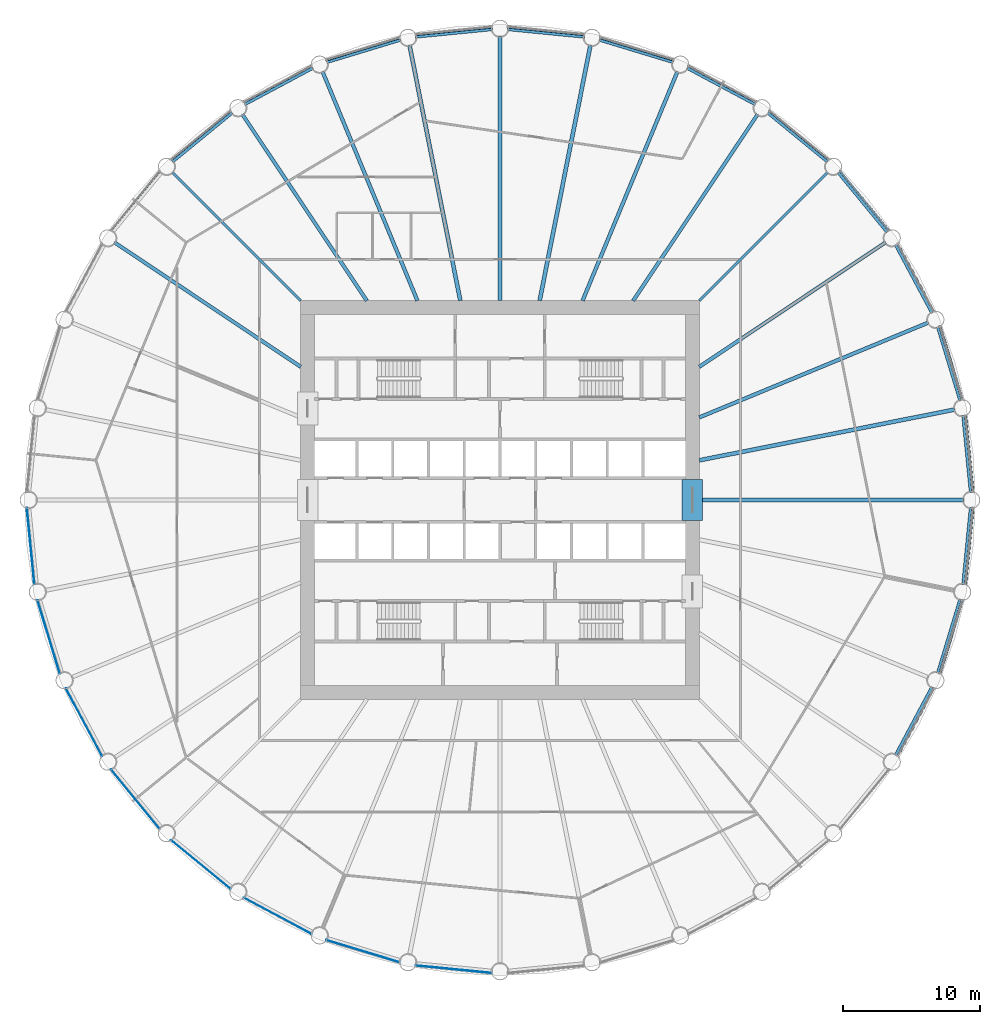
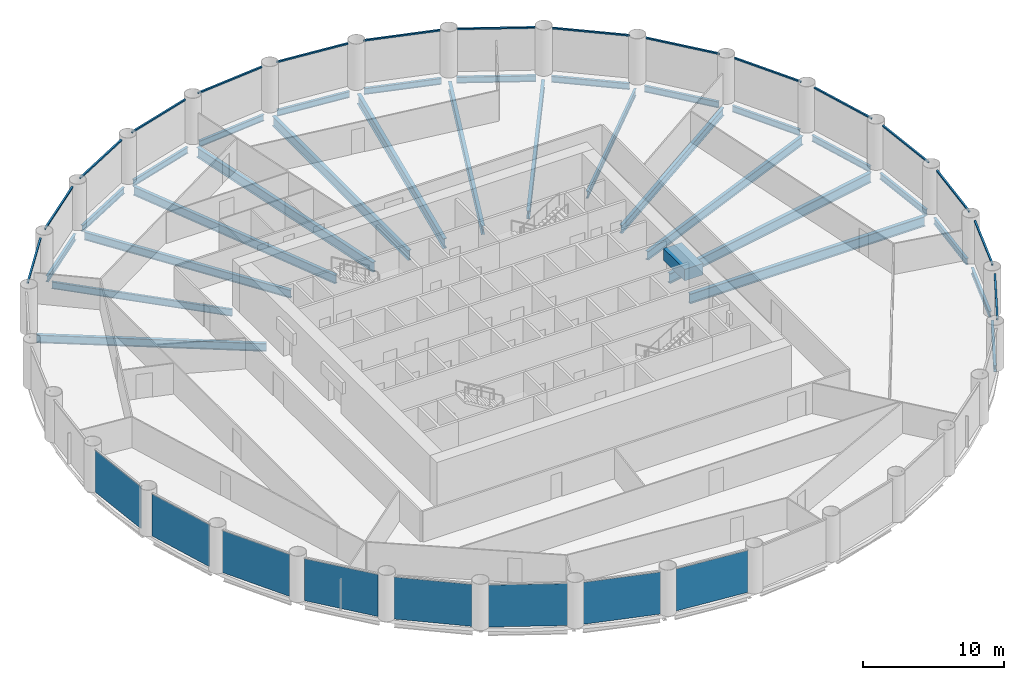
# One storey, part 2 of 8: 30 beams, 16 members, 8 plates, 24 elements without a shape of their own.
"""IFC4 building model written with IfcOpenShell, lengths in metres."""

from ifc_helpers import new_model, si_unit, direction, frame, origin, origin_2d, place, context, subcontext, project, spatial, rectangle, i_section, extrude, material, layer, layer_set, material_profile, profile_set, type_object, element, aggregate, save


model = new_model("IFC4")

# Units and contexts
model_context = context("Model", 3, precision=1e-05, world=origin(), true_north=direction((0.0, 1.0)))
body_context = subcontext(model_context, "Body", "Model", "MODEL_VIEW")
ifc_project = project(units=[si_unit("LENGTHUNIT", "METRE"), si_unit("AREAUNIT", "SQUARE_METRE"), si_unit("VOLUMEUNIT", "CUBIC_METRE"), si_unit("PLANEANGLEUNIT", "RADIAN"), si_unit("MASSUNIT", "GRAM", prefix="KILO")], contexts=[model_context])

# Site, building, storey
site_placement = place(None, origin())
site = spatial("IfcSite", under=ifc_project, at=site_placement, CompositionType="ELEMENT")
building_placement = place(site_placement, origin())
building = spatial("IfcBuilding", under=site, at=building_placement, Name="Corvane Civic Tower", CompositionType="ELEMENT")
storey_placement = place(building_placement, frame((0.0, 0.0, 134.5)))
storey = spatial("IfcBuildingStorey", under=building, at=storey_placement, Name="L31", CompositionType="ELEMENT", Elevation=134.5)

# Beams
ifc_material_1 = material(Name="Concrete C70/85", Category="concrete")
ifc_material_profile_1 = material_profile(ifc_material_1, rectangle(XDim=1.5, YDim=1.0, at=origin_2d()), Name="COUPLING BEAM 1500X1000")
ifc_profile_set_1 = profile_set([ifc_material_profile_1], Name="Concrete C70/85")
beam_type_1 = type_object("IfcBeamType", Name="COUPLING BEAM COUPLING BEAM 1500X1000", PredefinedType="BEAM", material=ifc_profile_set_1)
beam_1_placement = place(storey_placement, frame((14.0, -1.5, 2.60009765625), z_axis=(0.0, 1.0, 0.0), x_axis=(-1.0, 0.0, 0.0)))
element("IfcBeam", 1, at=beam_1_placement, inside=storey, type_object=beam_type_1, Name="BM-L31-cpl-CW-LE", PredefinedType="BEAM", context=body_context, shape_type="SweptSolid", body=[
    extrude(rectangle(XDim=1.5, YDim=1.0, at=origin_2d()), origin(), (0.0, 0.0, 1.0), 3.0),
])
ifc_material_2 = material(Name="Steel ASTM A992 Gr 50", Category="steel")
ifc_material_profile_2 = material_profile(ifc_material_2, i_section(OverallWidth=0.209228515625, OverallDepth=0.533447265625, WebThickness=0.01025390625, FlangeThickness=0.015625, at=origin_2d()), Name="W21X62")
ifc_profile_set_2 = profile_set([ifc_material_profile_2], Name="Steel ASTM A992 Gr 50")
beam_type_2 = type_object("IfcBeamType", Name="EDGE BEAM W21X62", PredefinedType="BEAM", material=ifc_profile_set_2)
beam_2_placement = place(storey_placement, frame((0.54736328125, 34.24609375, -0.566650390625), z_axis=(0.995184368522, -0.098020776625, 0.0), x_axis=(0.098020776625, 0.995184368522, 0.0)))
element("IfcBeam", 2, at=beam_2_placement, inside=storey, type_object=beam_type_2, Name="BM-L31-E01", PredefinedType="BEAM", context=body_context, shape_type="SweptSolid", body=[
    extrude(i_section(OverallWidth=0.209228515625, OverallDepth=0.533447265625, WebThickness=0.01025390625, FlangeThickness=0.015625, at=origin_2d()), origin(), (0.0, 0.0, 1.0), 5.6240234375),
])
beam_3_placement = place(storey_placement, frame((7.218017578125, 33.481201171875, -0.566650390625), z_axis=(0.956936367498, -0.290297758448, 0.0), x_axis=(0.290297758448, 0.956936367498, 0.0)))
element("IfcBeam", 3, at=beam_3_placement, inside=storey, type_object=beam_type_2, Name="BM-L31-E02", PredefinedType="BEAM", context=body_context, shape_type="SweptSolid", body=[
    extrude(i_section(OverallWidth=0.209228515625, OverallDepth=0.533447265625, WebThickness=0.01025390625, FlangeThickness=0.015625, at=origin_2d()), origin(), (0.0, 0.0, 1.0), 5.623779296875),
])
for number, where, z_axis, x_axis, name in (
    (4, (13.611083984375, 31.4296875, -0.566650390625), (0.88192357867, -0.471392407008, 0.0), (0.471392407008, 0.88192357867, 0.0), "BM-L31-E03"),
    (5, (19.481201171875, 28.17041015625, -0.566650390625), (0.773006775372, -0.634397765782, 0.0), (0.634397765782, 0.773006775372, 0.0), "BM-L31-E04"),
    (6, (24.6025390625, 23.82861328125, -0.566650390625), (0.634397765782, -0.773006775372, 0.0), (0.773006775372, 0.634397765782, 0.0), "BM-L31-E05"),
    (7, (28.778564453125, 18.571044921875, -0.566650390625), (0.471392407008, -0.88192357867, 0.0), (0.88192357867, 0.471392407008, 0.0), "BM-L31-E06"),
):
    element("IfcBeam", number, at=place(storey_placement, frame(where, z_axis=z_axis, x_axis=x_axis)), inside=storey, type_object=beam_type_2, Name=name, PredefinedType="BEAM", context=body_context, shape_type="SweptSolid", body=[
        extrude(i_section(OverallWidth=0.209228515625, OverallDepth=0.533447265625, WebThickness=0.01025390625, FlangeThickness=0.015625, at=origin_2d()), origin(), (0.0, 0.0, 1.0), 5.6240234375),
    ])
beam_4_placement = place(storey_placement, frame((31.8486328125, 12.599609375, -0.566650390625), z_axis=(0.290297758448, -0.956936367498, 0.0), x_axis=(0.956936367498, 0.290297758448, 0.0)))
element("IfcBeam", 8, at=beam_4_placement, inside=storey, type_object=beam_type_2, Name="BM-L31-E07", PredefinedType="BEAM", context=body_context, shape_type="SweptSolid", body=[
    extrude(i_section(OverallWidth=0.209228515625, OverallDepth=0.533447265625, WebThickness=0.01025390625, FlangeThickness=0.015625, at=origin_2d()), origin(), (0.0, 0.0, 1.0), 5.623779296875),
])
for number, where, z_axis, x_axis, name in (
    (9, (33.69482421875, 6.144287109375, -0.566650390625), (0.098020776625, -0.995184368522, 0.0), (0.995184368522, 0.098020776625, 0.0), "BM-L31-E08"),
    (10, (34.24609375, -0.54736328125, -0.566650390625), (-0.098020776625, -0.995184368522, 0.0), (0.995184368522, -0.098020776625, 0.0), "BM-L31-E09"),
):
    element("IfcBeam", number, at=place(storey_placement, frame(where, z_axis=z_axis, x_axis=x_axis)), inside=storey, type_object=beam_type_2, Name=name, PredefinedType="BEAM", context=body_context, shape_type="SweptSolid", body=[
        extrude(i_section(OverallWidth=0.209228515625, OverallDepth=0.533447265625, WebThickness=0.01025390625, FlangeThickness=0.015625, at=origin_2d()), origin(), (0.0, 0.0, 1.0), 5.6240234375),
    ])
beam_5_placement = place(storey_placement, frame((33.481201171875, -7.218017578125, -0.566650390625), z_axis=(-0.290297758448, -0.956936367498, 0.0), x_axis=(0.956936367498, -0.290297758448, 0.0)))
element("IfcBeam", 11, at=beam_5_placement, inside=storey, type_object=beam_type_2, Name="BM-L31-E10", PredefinedType="BEAM", context=body_context, shape_type="SweptSolid", body=[
    extrude(i_section(OverallWidth=0.209228515625, OverallDepth=0.533447265625, WebThickness=0.01025390625, FlangeThickness=0.015625, at=origin_2d()), origin(), (0.0, 0.0, 1.0), 5.623779296875),
])
for number, where, z_axis, x_axis, name in (
    (12, (31.4296875, -13.611083984375, -0.566650390625), (-0.471392407008, -0.88192357867, 0.0), (0.88192357867, -0.471392407008, 0.0), "BM-L31-E11"),
    (13, (-23.82861328125, 24.6025390625, -0.566650390625), (0.773006775372, 0.634397765782, 0.0), (-0.634397765782, 0.773006775372, 0.0), "BM-L31-E29"),
    (14, (-18.571044921875, 28.778564453125, -0.566650390625), (0.88192357867, 0.471392407008, 0.0), (-0.471392407008, 0.88192357867, 0.0), "BM-L31-E30"),
):
    element("IfcBeam", number, at=place(storey_placement, frame(where, z_axis=z_axis, x_axis=x_axis)), inside=storey, type_object=beam_type_2, Name=name, PredefinedType="BEAM", context=body_context, shape_type="SweptSolid", body=[
        extrude(i_section(OverallWidth=0.209228515625, OverallDepth=0.533447265625, WebThickness=0.01025390625, FlangeThickness=0.015625, at=origin_2d()), origin(), (0.0, 0.0, 1.0), 5.6240234375),
    ])
beam_6_placement = place(storey_placement, frame((-12.599609375, 31.8486328125, -0.566650390625), z_axis=(0.956936367498, 0.290297758448, 0.0), x_axis=(-0.290297758448, 0.956936367498, 0.0)))
element("IfcBeam", 15, at=beam_6_placement, inside=storey, type_object=beam_type_2, Name="BM-L31-E31", PredefinedType="BEAM", context=body_context, shape_type="SweptSolid", body=[
    extrude(i_section(OverallWidth=0.209228515625, OverallDepth=0.533447265625, WebThickness=0.01025390625, FlangeThickness=0.015625, at=origin_2d()), origin(), (0.0, 0.0, 1.0), 5.623779296875),
])
beam_7_placement = place(storey_placement, frame((-6.144287109375, 33.69482421875, -0.566650390625), z_axis=(0.995184368522, 0.098020776625, 0.0), x_axis=(-0.098020776625, 0.995184368522, 0.0)))
element("IfcBeam", 16, at=beam_7_placement, inside=storey, type_object=beam_type_2, Name="BM-L31-E32", PredefinedType="BEAM", context=body_context, shape_type="SweptSolid", body=[
    extrude(i_section(OverallWidth=0.209228515625, OverallDepth=0.533447265625, WebThickness=0.01025390625, FlangeThickness=0.015625, at=origin_2d()), origin(), (0.0, 0.0, 1.0), 5.6240234375),
])
ifc_material_3 = material(Name="Steel ASTM A992 Gr 50", Category="steel")
ifc_material_profile_3 = material_profile(ifc_material_3, i_section(OverallWidth=0.177978515625, OverallDepth=0.599365234375, WebThickness=0.010009765625, FlangeThickness=0.012939453125, at=origin_2d()), Name="W24X55")
ifc_profile_set_3 = profile_set([ifc_material_profile_3], Name="Steel ASTM A992 Gr 50")
beam_type_3 = type_object("IfcBeamType", Name="FLOOR GIRDER W24X55", PredefinedType="BEAM", material=ifc_profile_set_3)
for number, where, z_axis, x_axis, name in (
    (17, (14.5, 14.5, -0.599609375), (0.707106781187, 0.707106781187, 0.0), (-0.707106781187, 0.707106781187, 0.0), "BM-L31-G05"),
    (18, (-14.5, 14.5, -0.599609375), (-0.707106781187, 0.707106781187, 0.0), (-0.707106781187, -0.707106781187, 0.0), "BM-L31-G29"),
):
    element("IfcBeam", number, at=place(storey_placement, frame(where, z_axis=z_axis, x_axis=x_axis)), inside=storey, type_object=beam_type_3, Name=name, PredefinedType="BEAM", context=body_context, shape_type="SweptSolid", body=[
        extrude(i_section(OverallWidth=0.177978515625, OverallDepth=0.599365234375, WebThickness=0.010009765625, FlangeThickness=0.012939453125, at=origin_2d()), origin(), (0.0, 0.0, 1.0), 13.24365234375),
    ])
ifc_material_4 = material(Name="Steel ASTM A992 Gr 50", Category="steel")
ifc_material_profile_4 = material_profile(ifc_material_4, i_section(OverallWidth=0.256591796875, OverallDepth=0.693359375, WebThickness=0.014404296875, FlangeThickness=0.023681640625, at=origin_2d()), Name="W27X114")
ifc_profile_set_4 = profile_set([ifc_material_profile_4], Name="Steel ASTM A992 Gr 50")
beam_type_4 = type_object("IfcBeamType", Name="FLOOR GIRDER W27X114", PredefinedType="BEAM", material=ifc_profile_set_4)
for number, where, z_axis, x_axis, name in (
    (19, (9.6884765625, 14.5, -0.646728515625), (0.555577235054, 0.83146493365, 0.0), (-0.83146493365, 0.555577235054, 0.0), "BM-L31-G04"),
    (20, (14.5, 9.6884765625, -0.646728515625), (0.83146493365, 0.555577235054, 0.0), (-0.555577235054, 0.83146493365, 0.0), "BM-L31-G06"),
    (21, (-14.5, 9.6884765625, -0.646728515625), (-0.83146493365, 0.555577235054, 0.0), (-0.555577235054, -0.83146493365, 0.0), "BM-L31-G28"),
    (22, (-9.6884765625, 14.5, -0.646728515625), (-0.555577235054, 0.83146493365, 0.0), (-0.83146493365, -0.555577235054, 0.0), "BM-L31-G30"),
):
    element("IfcBeam", number, at=place(storey_placement, frame(where, z_axis=z_axis, x_axis=x_axis)), inside=storey, type_object=beam_type_4, Name=name, PredefinedType="BEAM", context=body_context, shape_type="SweptSolid", body=[
        extrude(i_section(OverallWidth=0.256591796875, OverallDepth=0.693359375, WebThickness=0.014404296875, FlangeThickness=0.023681640625, at=origin_2d()), origin(), (0.0, 0.0, 1.0), 16.31103515625),
    ])
ifc_material_5 = material(Name="Steel ASTM A992 Gr 50", Category="steel")
ifc_material_profile_5 = material_profile(ifc_material_5, i_section(OverallWidth=0.2666015625, OverallDepth=0.7568359375, WebThickness=0.013916015625, FlangeThickness=0.019287109375, at=origin_2d()), Name="W30X108")
ifc_profile_set_5 = profile_set([ifc_material_profile_5], Name="Steel ASTM A992 Gr 50")
beam_type_5 = type_object("IfcBeamType", Name="FLOOR GIRDER W30X108", PredefinedType="BEAM", material=ifc_profile_set_5)
for number, where, z_axis, x_axis, name in (
    (23, (6.006103515625, 14.5, -0.678466796875), (0.382681797504, 0.923880209691, 0.0), (-0.923880209691, 0.382681797504, 0.0), "BM-L31-G03"),
    (24, (14.5, 6.006103515625, -0.678466796875), (0.923880209691, 0.382681797504, 0.0), (-0.382681797504, 0.923880209691, 0.0), "BM-L31-G07"),
    (25, (-6.006103515625, 14.5, -0.678466796875), (-0.382681797504, 0.923880209691, 0.0), (-0.923880209691, -0.382681797504, 0.0), "BM-L31-G31"),
):
    element("IfcBeam", number, at=place(storey_placement, frame(where, z_axis=z_axis, x_axis=x_axis)), inside=storey, type_object=beam_type_5, Name=name, PredefinedType="BEAM", context=body_context, shape_type="SweptSolid", body=[
        extrude(i_section(OverallWidth=0.2666015625, OverallDepth=0.7568359375, WebThickness=0.013916015625, FlangeThickness=0.019287109375, at=origin_2d()), origin(), (0.0, 0.0, 1.0), 18.05517578125),
    ])
ifc_material_6 = material(Name="Steel ASTM A992 Gr 50", Category="steel")
ifc_material_profile_6 = material_profile(ifc_material_6, i_section(OverallWidth=0.2919921875, OverallDepth=0.8583984375, WebThickness=0.01708984375, FlangeThickness=0.031005859375, at=origin_2d()), Name="W33X169")
ifc_profile_set_6 = profile_set([ifc_material_profile_6], Name="Steel ASTM A992 Gr 50")
beam_type_6 = type_object("IfcBeamType", Name="FLOOR GIRDER W33X169", PredefinedType="BEAM", material=ifc_profile_set_6)
beam_8_placement = place(storey_placement, frame((0.0, 14.5, -0.729248046875), z_axis=(0.0, 1.0, 0.0), x_axis=(-1.0, 0.0, 0.0)))
element("IfcBeam", 26, at=beam_8_placement, inside=storey, type_object=beam_type_6, Name="BM-L31-G01", PredefinedType="BEAM", context=body_context, shape_type="SweptSolid", body=[
    extrude(i_section(OverallWidth=0.2919921875, OverallDepth=0.8583984375, WebThickness=0.01708984375, FlangeThickness=0.031005859375, at=origin_2d()), origin(), (0.0, 0.0, 1.0), 19.25),
])
for number, where, z_axis, x_axis, name in (
    (27, (2.88427734375, 14.5, -0.729248046875), (0.195083745652, 0.9807865885, 0.0), (-0.9807865885, 0.195083745652, 0.0), "BM-L31-G02"),
    (28, (14.5, 2.88427734375, -0.729248046875), (0.9807865885, 0.195083745652, 0.0), (-0.195083745652, 0.9807865885, 0.0), "BM-L31-G08"),
):
    element("IfcBeam", number, at=place(storey_placement, frame(where, z_axis=z_axis, x_axis=x_axis)), inside=storey, type_object=beam_type_6, Name=name, PredefinedType="BEAM", context=body_context, shape_type="SweptSolid", body=[
        extrude(i_section(OverallWidth=0.2919921875, OverallDepth=0.8583984375, WebThickness=0.01708984375, FlangeThickness=0.031005859375, at=origin_2d()), origin(), (0.0, 0.0, 1.0), 18.966064453125),
    ])
beam_9_placement = place(storey_placement, frame((14.5, 0.0, -0.729248046875), z_axis=(1.0, 0.0, 0.0), x_axis=(0.0, 1.0, 0.0)))
element("IfcBeam", 29, at=beam_9_placement, inside=storey, type_object=beam_type_6, Name="BM-L31-G09", PredefinedType="BEAM", context=body_context, shape_type="SweptSolid", body=[
    extrude(i_section(OverallWidth=0.2919921875, OverallDepth=0.8583984375, WebThickness=0.01708984375, FlangeThickness=0.031005859375, at=origin_2d()), origin(), (0.0, 0.0, 1.0), 19.25),
])
beam_10_placement = place(storey_placement, frame((-2.88427734375, 14.5, -0.729248046875), z_axis=(-0.195083745652, 0.9807865885, 0.0), x_axis=(-0.9807865885, -0.195083745652, 0.0)))
element("IfcBeam", 30, at=beam_10_placement, inside=storey, type_object=beam_type_6, Name="BM-L31-G32", PredefinedType="BEAM", context=body_context, shape_type="SweptSolid", body=[
    extrude(i_section(OverallWidth=0.2919921875, OverallDepth=0.8583984375, WebThickness=0.01708984375, FlangeThickness=0.031005859375, at=origin_2d()), origin(), (0.0, 0.0, 1.0), 18.966064453125),
])

# Curtain wall, member
ifc_material_7 = material(Name="Anodised aluminium bronze", Category="aluminium")
curtain_wall_type = type_object("IfcCurtainWallType", Name="TOWER CW-T1 STICK CURTAIN WALL", PredefinedType="NOTDEFINED", material=ifc_material_7)
curtain_wall_1_placement = place(storey_placement, origin())
curtain_wall_1 = element("IfcCurtainWall", 31, at=curtain_wall_1_placement, inside=storey, type_object=curtain_wall_type, Name="Curtain wall CW-T1 L31 bay 01", PredefinedType="NOTDEFINED")
ifc_material_8 = material(Name="Anodised aluminium bronze", Category="aluminium")
ifc_material_profile_7 = material_profile(ifc_material_8, rectangle(XDim=0.139892578125, YDim=0.1201171875, at=origin_2d()), Name="TOWER CW-T1 TRANSOM 140x120")
ifc_profile_set_7 = profile_set([ifc_material_profile_7], Name="Anodised aluminium bronze")
member_type = type_object("IfcMemberType", Name="TOWER CW-T1 TRANSOM 140x120", PredefinedType="USERDEFINED", material=ifc_profile_set_7)
member_1_placement = place(storey_placement, frame((0.58349609375, 34.422607421875, 3.68994140625), z_axis=(0.995179807033, -0.098067077419, 0.0), x_axis=(0.098067077419, 0.995179807033, 0.0)))
member_1 = element("IfcMember", 32, at=member_1_placement, type_object=member_type, Name="Transom CW-T1 L31 01.1", ObjectType="TRANSOM", PredefinedType="USERDEFINED", context=body_context, shape_type="SweptSolid", body=[
    extrude(rectangle(XDim=0.139892578125, YDim=0.1201171875, at=origin_2d()), origin(), (0.0, 0.0, 1.0), 5.58642578125),
])
aggregate(curtain_wall_1, [member_1])

curtain_wall_2_placement = place(storey_placement, origin())
curtain_wall_2 = element("IfcCurtainWall", 33, at=curtain_wall_2_placement, inside=storey, type_object=curtain_wall_type, Name="Curtain wall CW-T1 L31 bay 02", PredefinedType="NOTDEFINED")
member_2_placement = place(storey_placement, frame((7.287841796875, 33.647216796875, 3.68994140625), z_axis=(0.956944977029, -0.290269376509, 0.0), x_axis=(0.290269376509, 0.956944977029, 0.0)))
member_2 = element("IfcMember", 34, at=member_2_placement, type_object=member_type, Name="Transom CW-T1 L31 02.1", ObjectType="TRANSOM", PredefinedType="USERDEFINED", context=body_context, shape_type="SweptSolid", body=[
    extrude(rectangle(XDim=0.139892578125, YDim=0.1201171875, at=origin_2d()), origin(), (0.0, 0.0, 1.0), 5.58642578125),
])
aggregate(curtain_wall_2, [member_2])

curtain_wall_3_placement = place(storey_placement, origin())
curtain_wall_3 = element("IfcCurtainWall", 35, at=curtain_wall_3_placement, inside=storey, type_object=curtain_wall_type, Name="Curtain wall CW-T1 L31 bay 03", PredefinedType="NOTDEFINED")
member_3_placement = place(storey_placement, frame((13.712158203125, 31.5791015625, 3.68994140625), z_axis=(0.881920705407, -0.47139778253, 0.0), x_axis=(0.47139778253, 0.881920705407, 0.0)))
member_3 = element("IfcMember", 36, at=member_3_placement, type_object=member_type, Name="Transom CW-T1 L31 03.1", ObjectType="TRANSOM", PredefinedType="USERDEFINED", context=body_context, shape_type="SweptSolid", body=[
    extrude(rectangle(XDim=0.139892578125, YDim=0.1201171875, at=origin_2d()), origin(), (0.0, 0.0, 1.0), 5.586669921875),
])
aggregate(curtain_wall_3, [member_3])

curtain_wall_4_placement = place(storey_placement, origin())
curtain_wall_4 = element("IfcCurtainWall", 37, at=curtain_wall_4_placement, inside=storey, type_object=curtain_wall_type, Name="Curtain wall CW-T1 L31 bay 04", PredefinedType="NOTDEFINED")
member_4_placement = place(storey_placement, frame((19.609619140625, 28.297119140625, 3.68994140625), z_axis=(0.772996431642, -0.634410369295, 0.0), x_axis=(0.634410369295, 0.772996431642, 0.0)))
member_4 = element("IfcMember", 38, at=member_4_placement, type_object=member_type, Name="Transom CW-T1 L31 04.1", ObjectType="TRANSOM", PredefinedType="USERDEFINED", context=body_context, shape_type="SweptSolid", body=[
    extrude(rectangle(XDim=0.139892578125, YDim=0.1201171875, at=origin_2d()), origin(), (0.0, 0.0, 1.0), 5.586181640625),
])
aggregate(curtain_wall_4, [member_4])

curtain_wall_5_placement = place(storey_placement, origin())
curtain_wall_5 = element("IfcCurtainWall", 39, at=curtain_wall_5_placement, inside=storey, type_object=curtain_wall_type, Name="Curtain wall CW-T1 L31 bay 05", PredefinedType="NOTDEFINED")
member_5_placement = place(storey_placement, frame((24.753173828125, 23.927734375, 3.68994140625), z_axis=(0.634410369295, -0.772996431642, 0.0), x_axis=(0.772996431642, 0.634410369295, 0.0)))
member_5 = element("IfcMember", 40, at=member_5_placement, type_object=member_type, Name="Transom CW-T1 L31 05.1", ObjectType="TRANSOM", PredefinedType="USERDEFINED", context=body_context, shape_type="SweptSolid", body=[
    extrude(rectangle(XDim=0.139892578125, YDim=0.1201171875, at=origin_2d()), origin(), (0.0, 0.0, 1.0), 5.586181640625),
])
aggregate(curtain_wall_5, [member_5])

curtain_wall_6_placement = place(storey_placement, origin())
curtain_wall_6 = element("IfcCurtainWall", 41, at=curtain_wall_6_placement, inside=storey, type_object=curtain_wall_type, Name="Curtain wall CW-T1 L31 bay 06", PredefinedType="NOTDEFINED")
member_6_placement = place(storey_placement, frame((28.945556640625, 18.63916015625, 3.68994140625), z_axis=(0.47139778253, -0.881920705407, 0.0), x_axis=(0.881920705407, 0.47139778253, 0.0)))
member_6 = element("IfcMember", 42, at=member_6_placement, type_object=member_type, Name="Transom CW-T1 L31 06.1", ObjectType="TRANSOM", PredefinedType="USERDEFINED", context=body_context, shape_type="SweptSolid", body=[
    extrude(rectangle(XDim=0.139892578125, YDim=0.1201171875, at=origin_2d()), origin(), (0.0, 0.0, 1.0), 5.586669921875),
])
aggregate(curtain_wall_6, [member_6])

curtain_wall_7_placement = place(storey_placement, origin())
curtain_wall_7 = element("IfcCurtainWall", 43, at=curtain_wall_7_placement, inside=storey, type_object=curtain_wall_type, Name="Curtain wall CW-T1 L31 bay 07", PredefinedType="NOTDEFINED")
member_7_placement = place(storey_placement, frame((32.025634765625, 12.6337890625, 3.68994140625), z_axis=(0.290269376509, -0.956944977029, 0.0), x_axis=(0.956944977029, 0.290269376509, 0.0)))
member_7 = element("IfcMember", 44, at=member_7_placement, type_object=member_type, Name="Transom CW-T1 L31 07.1", ObjectType="TRANSOM", PredefinedType="USERDEFINED", context=body_context, shape_type="SweptSolid", body=[
    extrude(rectangle(XDim=0.139892578125, YDim=0.1201171875, at=origin_2d()), origin(), (0.0, 0.0, 1.0), 5.58642578125),
])
aggregate(curtain_wall_7, [member_7])

curtain_wall_8_placement = place(storey_placement, origin())
curtain_wall_8 = element("IfcCurtainWall", 45, at=curtain_wall_8_placement, inside=storey, type_object=curtain_wall_type, Name="Curtain wall CW-T1 L31 bay 08", PredefinedType="NOTDEFINED")
member_8_placement = place(storey_placement, frame((33.874755859375, 6.14306640625, 3.68994140625), z_axis=(0.098067077419, -0.995179807033, 0.0), x_axis=(0.995179807033, 0.098067077419, 0.0)))
member_8 = element("IfcMember", 46, at=member_8_placement, type_object=member_type, Name="Transom CW-T1 L31 08.1", ObjectType="TRANSOM", PredefinedType="USERDEFINED", context=body_context, shape_type="SweptSolid", body=[
    extrude(rectangle(XDim=0.139892578125, YDim=0.1201171875, at=origin_2d()), origin(), (0.0, 0.0, 1.0), 5.58642578125),
])
aggregate(curtain_wall_8, [member_8])

curtain_wall_9_placement = place(storey_placement, origin())
curtain_wall_9 = element("IfcCurtainWall", 47, at=curtain_wall_9_placement, inside=storey, type_object=curtain_wall_type, Name="Curtain wall CW-T1 L31 bay 09", PredefinedType="NOTDEFINED")
member_9_placement = place(storey_placement, frame((34.422607421875, -0.58349609375, 3.68994140625), z_axis=(-0.098067077419, -0.995179807033, 0.0), x_axis=(0.995179807033, -0.098067077419, 0.0)))
member_9 = element("IfcMember", 48, at=member_9_placement, type_object=member_type, Name="Transom CW-T1 L31 09.1", ObjectType="TRANSOM", PredefinedType="USERDEFINED", context=body_context, shape_type="SweptSolid", body=[
    extrude(rectangle(XDim=0.139892578125, YDim=0.1201171875, at=origin_2d()), origin(), (0.0, 0.0, 1.0), 5.58642578125),
])
aggregate(curtain_wall_9, [member_9])

curtain_wall_10_placement = place(storey_placement, origin())
curtain_wall_10 = element("IfcCurtainWall", 49, at=curtain_wall_10_placement, inside=storey, type_object=curtain_wall_type, Name="Curtain wall CW-T1 L31 bay 10", PredefinedType="NOTDEFINED")
member_10_placement = place(storey_placement, frame((33.647216796875, -7.287841796875, 3.68994140625), z_axis=(-0.290269376509, -0.956944977029, 0.0), x_axis=(0.956944977029, -0.290269376509, 0.0)))
member_10 = element("IfcMember", 50, at=member_10_placement, type_object=member_type, Name="Transom CW-T1 L31 10.1", ObjectType="TRANSOM", PredefinedType="USERDEFINED", context=body_context, shape_type="SweptSolid", body=[
    extrude(rectangle(XDim=0.139892578125, YDim=0.1201171875, at=origin_2d()), origin(), (0.0, 0.0, 1.0), 5.58642578125),
])
aggregate(curtain_wall_10, [member_10])

curtain_wall_11_placement = place(storey_placement, origin())
curtain_wall_11 = element("IfcCurtainWall", 51, at=curtain_wall_11_placement, inside=storey, type_object=curtain_wall_type, Name="Curtain wall CW-T1 L31 bay 11", PredefinedType="NOTDEFINED")
member_11_placement = place(storey_placement, frame((31.5791015625, -13.712158203125, 3.68994140625), z_axis=(-0.47139778253, -0.881920705407, 0.0), x_axis=(0.881920705407, -0.47139778253, 0.0)))
member_11 = element("IfcMember", 52, at=member_11_placement, type_object=member_type, Name="Transom CW-T1 L31 11.1", ObjectType="TRANSOM", PredefinedType="USERDEFINED", context=body_context, shape_type="SweptSolid", body=[
    extrude(rectangle(XDim=0.139892578125, YDim=0.1201171875, at=origin_2d()), origin(), (0.0, 0.0, 1.0), 5.586669921875),
])
aggregate(curtain_wall_11, [member_11])

curtain_wall_12_placement = place(storey_placement, origin())
curtain_wall_12 = element("IfcCurtainWall", 53, at=curtain_wall_12_placement, inside=storey, type_object=curtain_wall_type, Name="Curtain wall CW-T1 L31 bay 28", PredefinedType="NOTDEFINED")
member_12_placement = place(storey_placement, frame((-28.297119140625, 19.609619140625, 3.68994140625), z_axis=(0.634410369295, 0.772996431642, 0.0), x_axis=(-0.772996431642, 0.634410369295, 0.0)))
member_12 = element("IfcMember", 54, at=member_12_placement, type_object=member_type, Name="Transom CW-T1 L31 28.1", ObjectType="TRANSOM", PredefinedType="USERDEFINED", context=body_context, shape_type="SweptSolid", body=[
    extrude(rectangle(XDim=0.139892578125, YDim=0.1201171875, at=origin_2d()), origin(), (0.0, 0.0, 1.0), 5.586181640625),
])
aggregate(curtain_wall_12, [member_12])

curtain_wall_13_placement = place(storey_placement, origin())
curtain_wall_13 = element("IfcCurtainWall", 55, at=curtain_wall_13_placement, inside=storey, type_object=curtain_wall_type, Name="Curtain wall CW-T1 L31 bay 29", PredefinedType="NOTDEFINED")
member_13_placement = place(storey_placement, frame((-23.927734375, 24.753173828125, 3.68994140625), z_axis=(0.772996431642, 0.634410369295, 0.0), x_axis=(-0.634410369295, 0.772996431642, 0.0)))
member_13 = element("IfcMember", 56, at=member_13_placement, type_object=member_type, Name="Transom CW-T1 L31 29.1", ObjectType="TRANSOM", PredefinedType="USERDEFINED", context=body_context, shape_type="SweptSolid", body=[
    extrude(rectangle(XDim=0.139892578125, YDim=0.1201171875, at=origin_2d()), origin(), (0.0, 0.0, 1.0), 5.586181640625),
])
aggregate(curtain_wall_13, [member_13])

curtain_wall_14_placement = place(storey_placement, origin())
curtain_wall_14 = element("IfcCurtainWall", 57, at=curtain_wall_14_placement, inside=storey, type_object=curtain_wall_type, Name="Curtain wall CW-T1 L31 bay 30", PredefinedType="NOTDEFINED")
member_14_placement = place(storey_placement, frame((-18.63916015625, 28.945556640625, 3.68994140625), z_axis=(0.881920705407, 0.47139778253, 0.0), x_axis=(-0.47139778253, 0.881920705407, 0.0)))
member_14 = element("IfcMember", 58, at=member_14_placement, type_object=member_type, Name="Transom CW-T1 L31 30.1", ObjectType="TRANSOM", PredefinedType="USERDEFINED", context=body_context, shape_type="SweptSolid", body=[
    extrude(rectangle(XDim=0.139892578125, YDim=0.1201171875, at=origin_2d()), origin(), (0.0, 0.0, 1.0), 5.586669921875),
])
aggregate(curtain_wall_14, [member_14])

curtain_wall_15_placement = place(storey_placement, origin())
curtain_wall_15 = element("IfcCurtainWall", 59, at=curtain_wall_15_placement, inside=storey, type_object=curtain_wall_type, Name="Curtain wall CW-T1 L31 bay 31", PredefinedType="NOTDEFINED")
member_15_placement = place(storey_placement, frame((-12.6337890625, 32.025634765625, 3.68994140625), z_axis=(0.956944977029, 0.290269376509, 0.0), x_axis=(-0.290269376509, 0.956944977029, 0.0)))
member_15 = element("IfcMember", 60, at=member_15_placement, type_object=member_type, Name="Transom CW-T1 L31 31.1", ObjectType="TRANSOM", PredefinedType="USERDEFINED", context=body_context, shape_type="SweptSolid", body=[
    extrude(rectangle(XDim=0.139892578125, YDim=0.1201171875, at=origin_2d()), origin(), (0.0, 0.0, 1.0), 5.58642578125),
])
aggregate(curtain_wall_15, [member_15])

curtain_wall_16_placement = place(storey_placement, origin())
curtain_wall_16 = element("IfcCurtainWall", 61, at=curtain_wall_16_placement, inside=storey, type_object=curtain_wall_type, Name="Curtain wall CW-T1 L31 bay 32", PredefinedType="NOTDEFINED")
member_16_placement = place(storey_placement, frame((-6.14306640625, 33.874755859375, 3.68994140625), z_axis=(0.995179807033, 0.098067077419, 0.0), x_axis=(-0.098067077419, 0.995179807033, 0.0)))
member_16 = element("IfcMember", 62, at=member_16_placement, type_object=member_type, Name="Transom CW-T1 L31 32.1", ObjectType="TRANSOM", PredefinedType="USERDEFINED", context=body_context, shape_type="SweptSolid", body=[
    extrude(rectangle(XDim=0.139892578125, YDim=0.1201171875, at=origin_2d()), origin(), (0.0, 0.0, 1.0), 5.58642578125),
])
aggregate(curtain_wall_16, [member_16])

# Curtain wall, plate
curtain_wall_17_placement = place(storey_placement, origin())
curtain_wall_17 = element("IfcCurtainWall", 63, at=curtain_wall_17_placement, inside=storey, type_object=curtain_wall_type, Name="Curtain wall CW-T1 L31 bay 17", PredefinedType="NOTDEFINED")
ifc_material_9 = material(Name="Tinted glass", Category="glass")
ifc_layer = layer(ifc_material_9, 0.035888671875)
ifc_layer_set = layer_set([ifc_layer], Name="Tinted glass")
plate_type = type_object("IfcPlateType", Name="TOWER CW-T1 PANEL IGU36", PredefinedType="CURTAIN_PANEL", material=ifc_layer_set)
plate_1_placement = place(storey_placement, frame((-3.36328125, -34.148681640625, 0.0), z_axis=(0.0, 0.0, 1.0), x_axis=(-0.995183788169, 0.098026668644, 0.0)))
plate_1 = element("IfcPlate", 64, at=plate_1_placement, type_object=plate_type, Name="Glass panel CW-T1 L31 17.1", PredefinedType="CURTAIN_PANEL", context=body_context, shape_type="SweptSolid", body=[
    extrude(rectangle(XDim=5.58642578125, YDim=0.035888671875, at=origin_2d()), origin(), (0.0, 0.0, 1.0), 3.6298828125),
])
aggregate(curtain_wall_17, [plate_1])

curtain_wall_18_placement = place(storey_placement, origin())
curtain_wall_18 = element("IfcCurtainWall", 65, at=curtain_wall_18_placement, inside=storey, type_object=curtain_wall_type, Name="Curtain wall CW-T1 L31 bay 18", PredefinedType="NOTDEFINED")
plate_2_placement = place(storey_placement, frame((-9.9609375, -32.83642578125, 0.0), z_axis=(0.0, 0.0, 1.0), x_axis=(-0.956945991488, 0.290266032073, 0.0)))
plate_2 = element("IfcPlate", 66, at=plate_2_placement, type_object=plate_type, Name="Glass panel CW-T1 L31 18.1", PredefinedType="CURTAIN_PANEL", context=body_context, shape_type="SweptSolid", body=[
    extrude(rectangle(XDim=5.58642578125, YDim=0.035888671875, at=origin_2d()), origin(), (0.0, 0.0, 1.0), 3.6298828125),
])
aggregate(curtain_wall_18, [plate_2])

curtain_wall_19_placement = place(storey_placement, origin())
curtain_wall_19 = element("IfcCurtainWall", 67, at=curtain_wall_19_placement, inside=storey, type_object=curtain_wall_type, Name="Curtain wall CW-T1 L31 bay 19", PredefinedType="NOTDEFINED")
plate_3_placement = place(storey_placement, frame((-16.175537109375, -30.26220703125, 0.0), z_axis=(0.0, 0.0, 1.0), x_axis=(-0.881923642976, 0.471392286699, 0.0)))
plate_3 = element("IfcPlate", 68, at=plate_3_placement, type_object=plate_type, Name="Glass panel CW-T1 L31 19.1", PredefinedType="CURTAIN_PANEL", context=body_context, shape_type="SweptSolid", body=[
    extrude(rectangle(XDim=5.586669921875, YDim=0.035888671875, at=origin_2d()), origin(), (0.0, 0.0, 1.0), 3.6298828125),
])
aggregate(curtain_wall_19, [plate_3])

curtain_wall_20_placement = place(storey_placement, origin())
curtain_wall_20 = element("IfcCurtainWall", 69, at=curtain_wall_20_placement, inside=storey, type_object=curtain_wall_type, Name="Curtain wall CW-T1 L31 bay 20", PredefinedType="NOTDEFINED")
plate_4_placement = place(storey_placement, frame((-21.7685546875, -26.525146484375, 0.0), z_axis=(0.0, 0.0, 1.0), x_axis=(-0.773013419843, 0.63438966948, 0.0)))
plate_4 = element("IfcPlate", 70, at=plate_4_placement, type_object=plate_type, Name="Glass panel CW-T1 L31 20.1", PredefinedType="CURTAIN_PANEL", context=body_context, shape_type="SweptSolid", body=[
    extrude(rectangle(XDim=5.58642578125, YDim=0.035888671875, at=origin_2d()), origin(), (0.0, 0.0, 1.0), 3.6298828125),
])
aggregate(curtain_wall_20, [plate_4])

curtain_wall_21_placement = place(storey_placement, origin())
curtain_wall_21 = element("IfcCurtainWall", 71, at=curtain_wall_21_placement, inside=storey, type_object=curtain_wall_type, Name="Curtain wall CW-T1 L31 bay 21", PredefinedType="NOTDEFINED")
plate_5_placement = place(storey_placement, frame((-26.525146484375, -21.7685546875, 0.0), z_axis=(0.0, 0.0, 1.0), x_axis=(-0.63438966948, 0.773013419843, 0.0)))
plate_5 = element("IfcPlate", 72, at=plate_5_placement, type_object=plate_type, Name="Glass panel CW-T1 L31 21.1", PredefinedType="CURTAIN_PANEL", context=body_context, shape_type="SweptSolid", body=[
    extrude(rectangle(XDim=5.58642578125, YDim=0.035888671875, at=origin_2d()), origin(), (0.0, 0.0, 1.0), 3.6298828125),
])
aggregate(curtain_wall_21, [plate_5])

curtain_wall_22_placement = place(storey_placement, origin())
curtain_wall_22 = element("IfcCurtainWall", 73, at=curtain_wall_22_placement, inside=storey, type_object=curtain_wall_type, Name="Curtain wall CW-T1 L31 bay 22", PredefinedType="NOTDEFINED")
plate_6_placement = place(storey_placement, frame((-30.26220703125, -16.175537109375, 0.0), z_axis=(0.0, 0.0, 1.0), x_axis=(-0.471392286699, 0.881923642976, 0.0)))
plate_6 = element("IfcPlate", 74, at=plate_6_placement, type_object=plate_type, Name="Glass panel CW-T1 L31 22.1", PredefinedType="CURTAIN_PANEL", context=body_context, shape_type="SweptSolid", body=[
    extrude(rectangle(XDim=5.586669921875, YDim=0.035888671875, at=origin_2d()), origin(), (0.0, 0.0, 1.0), 3.6298828125),
])
aggregate(curtain_wall_22, [plate_6])

curtain_wall_23_placement = place(storey_placement, origin())
curtain_wall_23 = element("IfcCurtainWall", 75, at=curtain_wall_23_placement, inside=storey, type_object=curtain_wall_type, Name="Curtain wall CW-T1 L31 bay 23", PredefinedType="NOTDEFINED")
plate_7_placement = place(storey_placement, frame((-32.83642578125, -9.9609375, 0.0), z_axis=(0.0, 0.0, 1.0), x_axis=(-0.290266032073, 0.956945991488, 0.0)))
plate_7 = element("IfcPlate", 76, at=plate_7_placement, type_object=plate_type, Name="Glass panel CW-T1 L31 23.1", PredefinedType="CURTAIN_PANEL", context=body_context, shape_type="SweptSolid", body=[
    extrude(rectangle(XDim=5.58642578125, YDim=0.035888671875, at=origin_2d()), origin(), (0.0, 0.0, 1.0), 3.6298828125),
])
aggregate(curtain_wall_23, [plate_7])

curtain_wall_24_placement = place(storey_placement, origin())
curtain_wall_24 = element("IfcCurtainWall", 77, at=curtain_wall_24_placement, inside=storey, type_object=curtain_wall_type, Name="Curtain wall CW-T1 L31 bay 24", PredefinedType="NOTDEFINED")
plate_8_placement = place(storey_placement, frame((-34.148681640625, -3.36328125, 0.0), z_axis=(0.0, 0.0, 1.0), x_axis=(-0.098026668644, 0.995183788169, 0.0)))
plate_8 = element("IfcPlate", 78, at=plate_8_placement, type_object=plate_type, Name="Glass panel CW-T1 L31 24.1", PredefinedType="CURTAIN_PANEL", context=body_context, shape_type="SweptSolid", body=[
    extrude(rectangle(XDim=5.58642578125, YDim=0.035888671875, at=origin_2d()), origin(), (0.0, 0.0, 1.0), 3.6298828125),
])
aggregate(curtain_wall_24, [plate_8])

save(model, "model.ifc")
